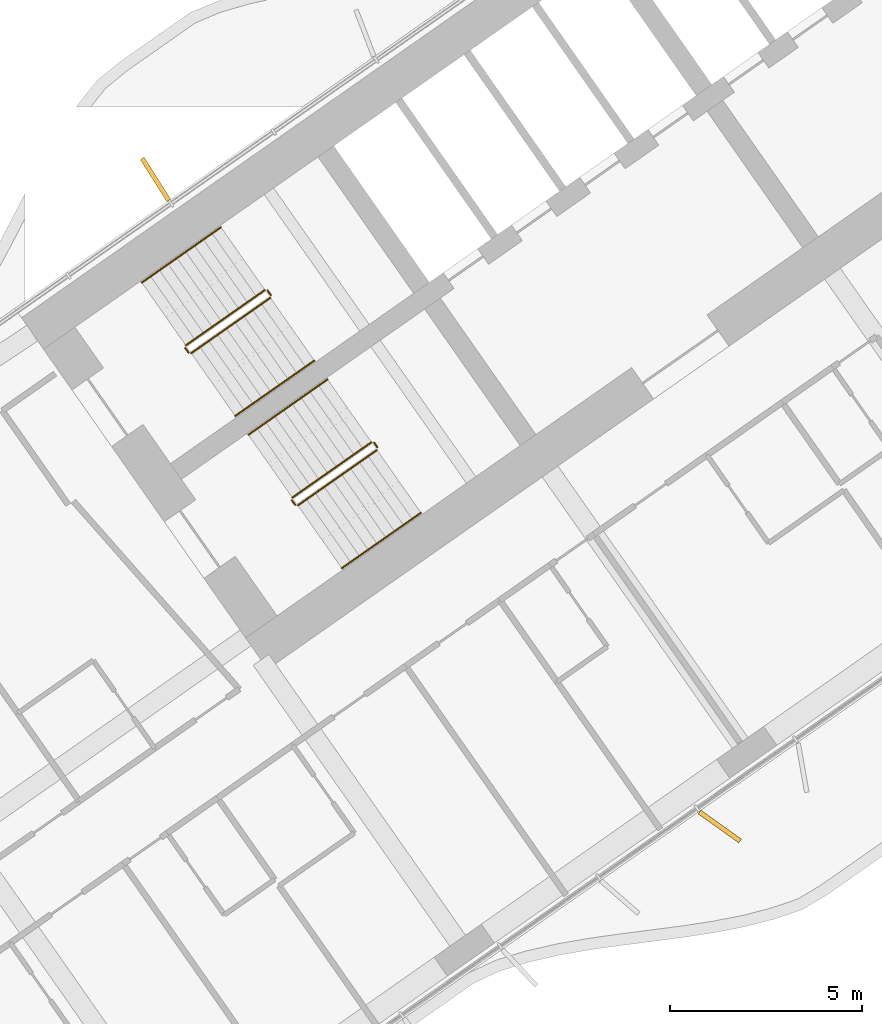
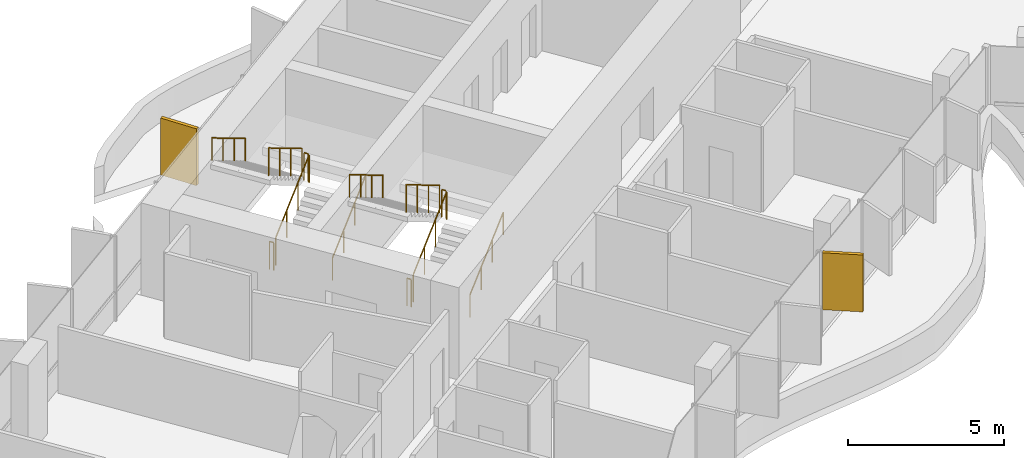
# One storey, part 21 of 25: 12 railings, 2 shading devices.
"""IFC4 building model written with IfcOpenShell, lengths in metres."""

from ifc_helpers import new_model, si_unit, direction, frame, origin, origin_2d, place, context, subcontext, project, spatial, rectangle, circle, extrude, material, layer, layer_set, type_object, element, save


model = new_model("IFC4")

# Units and contexts
model_context = context("Model", 3, precision=1e-05, world=origin(), true_north=direction((0.0, 1.0)))
body_context = subcontext(model_context, "Body", "Model", "MODEL_VIEW")
ifc_project = project(units=[si_unit("LENGTHUNIT", "METRE"), si_unit("AREAUNIT", "SQUARE_METRE"), si_unit("VOLUMEUNIT", "CUBIC_METRE"), si_unit("PLANEANGLEUNIT", "RADIAN"), si_unit("MASSUNIT", "GRAM", prefix="KILO")], contexts=[model_context])

# Site, building, storey
site_placement = place(None, origin())
site = spatial("IfcSite", under=ifc_project, at=site_placement, CompositionType="ELEMENT")
building_placement = place(site_placement, origin())
building = spatial("IfcBuilding", under=site, at=building_placement, Name="Tel Ilan Convention Tower", CompositionType="ELEMENT")
storey_placement = place(building_placement, frame((0.0, 0.0, 54.5)))
storey = spatial("IfcBuildingStorey", under=building, at=storey_placement, Name="L08", CompositionType="ELEMENT", Elevation=54.5)

# Shading devices
ifc_material_1 = material(Name="Aluminium, bronze anodised", Category="aluminium")
ifc_layer = layer(ifc_material_1, 0.1201171875)
ifc_layer_set = layer_set([ifc_layer], Name="FIN BRONZE 1300x120")
shading_device_type = type_object("IfcShadingDeviceType", Name="FIN BRONZE 1300x120", PredefinedType="USERDEFINED", material=ifc_layer_set)
for number, where, z_axis, x_axis, name in (
    (1, (-24.470458984375, -3.520751953125, 1.10009765625), (0.0, 0.0, 1.0), (-0.533204432798, 0.845986425922, 0.0), "FIN"),
    (2, (-9.73974609375, -20.409912109375, 1.10009765625), (0.0, 0.0, 1.0), (0.813552070258, -0.581492071294, 0.0), "FIN"),
):
    element("IfcShadingDevice", number, at=place(storey_placement, frame(where, z_axis=z_axis, x_axis=x_axis)), inside=storey, type_object=shading_device_type, Name=name, ObjectType="FIN", PredefinedType="USERDEFINED", context=body_context, shape_type="SweptSolid", body=[
        extrude(rectangle(XDim=1.300048828125, YDim=0.1201171875, at=origin_2d()), origin(), (0.0, 0.0, 1.0), 2.219970703125),
    ])

# Railings
ifc_material_2 = material(Name="Stainless Steel Grade 316", Category="steel")
railing_type_1 = type_object("IfcRailingType", Name="Stainless Steel Stair Guard 1100 mm", PredefinedType="GUARDRAIL", material=ifc_material_2)
railing_1_placement = place(storey_placement, frame((-23.535400390625, -8.056396484375, 0.179931640625)))
element("IfcRailing", 3, at=railing_1_placement, inside=storey, type_object=railing_type_1, Name="L08 S1 stair guard 1", PredefinedType="GUARDRAIL", context=body_context, shape_type="SweptSolid", body=[
    extrude(circle(Radius=0.02392578125, at=origin_2d()), frame((0.0, 0.0, 1.076171875), z_axis=(0.689013013563, 0.482512838948, 0.540779462804), x_axis=(-0.573624882958, 0.819118119475, 0.0)), (0.0, 0.0, 1.0), 2.995849609375),
    extrude(circle(Radius=0.02099609375, at=origin_2d()), origin(), (0.0, 0.0, 1.0), 1.052001953125),
    extrude(circle(Radius=0.02099609375, at=origin_2d()), frame((0.68798828125, 0.48193359375, 0.5400390625)), (0.0, 0.0, 1.0), 1.052001953125),
    extrude(circle(Radius=0.02099609375, at=origin_2d()), frame((1.376220703125, 0.963623046875, 1.080078125)), (0.0, 0.0, 1.0), 1.052001953125),
    extrude(circle(Radius=0.02099609375, at=origin_2d()), frame((2.064208984375, 1.445556640625, 1.6201171875)), (0.0, 0.0, 1.0), 1.052001953125),
])
railing_2_placement = place(storey_placement, frame((-21.458984375, -6.541259765625, 1.800048828125)))
element("IfcRailing", 4, at=railing_2_placement, inside=storey, type_object=railing_type_1, Name="L08 S1 stair guard 2", PredefinedType="GUARDRAIL", context=body_context, shape_type="SweptSolid", body=[
    extrude(circle(Radius=0.02392578125, at=origin_2d()), frame((0.0, 0.0, 1.076171875), z_axis=(-0.573353020881, 0.819308436089, 0.0), x_axis=(-0.819308436089, -0.573353020881, 0.0)), (0.0, 0.0, 1.0), 0.14990234375),
    extrude(circle(Radius=0.02099609375, at=origin_2d()), origin(), (0.0, 0.0, 1.0), 1.052001953125),
    extrude(circle(Radius=0.02099609375, at=origin_2d()), frame((-0.0859375, 0.122802734375, 0.0)), (0.0, 0.0, 1.0), 1.052001953125),
])
railing_3_placement = place(storey_placement, frame((-21.614501953125, -6.406005859375, 1.97998046875)))
element("IfcRailing", 5, at=railing_3_placement, inside=storey, type_object=railing_type_1, Name="L08 S1 stair guard 3", PredefinedType="GUARDRAIL", context=body_context, shape_type="SweptSolid", body=[
    extrude(circle(Radius=0.02392578125, at=origin_2d()), frame((0.0, 0.0, 1.076171875), z_axis=(-0.689013013563, -0.482512838948, 0.540779462804), x_axis=(0.573624882958, -0.819118119475, 0.0)), (0.0, 0.0, 1.0), 2.995849609375),
    extrude(circle(Radius=0.02099609375, at=origin_2d()), origin(), (0.0, 0.0, 1.0), 1.052001953125),
    extrude(circle(Radius=0.02099609375, at=origin_2d()), frame((-0.68798828125, -0.48193359375, 0.5400390625)), (0.0, 0.0, 1.0), 1.052001953125),
    extrude(circle(Radius=0.02099609375, at=origin_2d()), frame((-1.376220703125, -0.963623046875, 1.080078125)), (0.0, 0.0, 1.0), 1.052001953125),
    extrude(circle(Radius=0.02099609375, at=origin_2d()), frame((-2.064208984375, -1.445556640625, 1.6201171875)), (0.0, 0.0, 1.0), 1.052001953125),
])
railing_4_placement = place(storey_placement, frame((-23.60498046875, -8.0439453125, 0.0)))
element("IfcRailing", 6, at=railing_4_placement, inside=storey, type_object=railing_type_1, Name="L08 S1 stair guard 4", PredefinedType="GUARDRAIL", context=body_context, shape_type="SweptSolid", body=[
    extrude(circle(Radius=0.02392578125, at=origin_2d()), frame((0.0, 0.0, 1.076171875), z_axis=(-0.574444878118, 0.818543268254, 0.0), x_axis=(-0.818543268254, -0.574444878118, 0.0)), (0.0, 0.0, 1.0), 0.150146484375),
    extrude(circle(Radius=0.02099609375, at=origin_2d()), origin(), (0.0, 0.0, 1.0), 1.052001953125),
    extrude(circle(Radius=0.02099609375, at=origin_2d()), frame((-0.086181640625, 0.122802734375, 0.0)), (0.0, 0.0, 1.0), 1.052001953125),
])
railing_5_placement = place(storey_placement, frame((-20.753662109375, -12.029296875, 0.179931640625)))
element("IfcRailing", 7, at=railing_5_placement, inside=storey, type_object=railing_type_1, Name="L08 S2 stair guard 1", PredefinedType="GUARDRAIL", context=body_context, shape_type="SweptSolid", body=[
    extrude(circle(Radius=0.02392578125, at=origin_2d()), frame((0.0, 0.0, 1.076171875), z_axis=(0.689055814419, 0.482485747064, 0.540749099395), x_axis=(-0.573579365141, 0.81914999352, 0.0)), (0.0, 0.0, 1.0), 2.99609375),
    extrude(circle(Radius=0.02099609375, at=origin_2d()), origin(), (0.0, 0.0, 1.0), 1.052001953125),
    extrude(circle(Radius=0.02099609375, at=origin_2d()), frame((0.688232421875, 0.48193359375, 0.5400390625)), (0.0, 0.0, 1.0), 1.052001953125),
    extrude(circle(Radius=0.02099609375, at=origin_2d()), frame((1.376220703125, 0.963623046875, 1.080078125)), (0.0, 0.0, 1.0), 1.052001953125),
    extrude(circle(Radius=0.02099609375, at=origin_2d()), frame((2.064453125, 1.445556640625, 1.6201171875)), (0.0, 0.0, 1.0), 1.052001953125),
])
railing_6_placement = place(storey_placement, frame((-18.677001953125, -10.51416015625, 1.800048828125)))
element("IfcRailing", 8, at=railing_6_placement, inside=storey, type_object=railing_type_1, Name="L08 S2 stair guard 2", PredefinedType="GUARDRAIL", context=body_context, shape_type="SweptSolid", body=[
    extrude(circle(Radius=0.02392578125, at=origin_2d()), frame((0.0, 0.0, 1.076171875), z_axis=(-0.573353020881, 0.819308436089, 0.0), x_axis=(-0.819308436089, -0.573353020881, 0.0)), (0.0, 0.0, 1.0), 0.14990234375),
    extrude(circle(Radius=0.02099609375, at=origin_2d()), origin(), (0.0, 0.0, 1.0), 1.052001953125),
    extrude(circle(Radius=0.02099609375, at=origin_2d()), frame((-0.0859375, 0.122802734375, 0.0)), (0.0, 0.0, 1.0), 1.052001953125),
])
railing_7_placement = place(storey_placement, frame((-18.832763671875, -10.37890625, 1.97998046875)))
element("IfcRailing", 9, at=railing_7_placement, inside=storey, type_object=railing_type_1, Name="L08 S2 stair guard 3", PredefinedType="GUARDRAIL", context=body_context, shape_type="SweptSolid", body=[
    extrude(circle(Radius=0.02392578125, at=origin_2d()), frame((0.0, 0.0, 1.076171875), z_axis=(-0.689013013563, -0.482512838948, 0.540779462804), x_axis=(0.573624882958, -0.819118119475, 0.0)), (0.0, 0.0, 1.0), 2.995849609375),
    extrude(circle(Radius=0.02099609375, at=origin_2d()), origin(), (0.0, 0.0, 1.0), 1.052001953125),
    extrude(circle(Radius=0.02099609375, at=origin_2d()), frame((-0.68798828125, -0.48193359375, 0.5400390625)), (0.0, 0.0, 1.0), 1.052001953125),
    extrude(circle(Radius=0.02099609375, at=origin_2d()), frame((-1.376220703125, -0.963623046875, 1.080078125)), (0.0, 0.0, 1.0), 1.052001953125),
    extrude(circle(Radius=0.02099609375, at=origin_2d()), frame((-2.064208984375, -1.445556640625, 1.6201171875)), (0.0, 0.0, 1.0), 1.052001953125),
])
railing_8_placement = place(storey_placement, frame((-20.8232421875, -12.016845703125, 0.0)))
element("IfcRailing", 10, at=railing_8_placement, inside=storey, type_object=railing_type_1, Name="L08 S2 stair guard 4", PredefinedType="GUARDRAIL", context=body_context, shape_type="SweptSolid", body=[
    extrude(circle(Radius=0.02392578125, at=origin_2d()), frame((0.0, 0.0, 1.076171875), z_axis=(-0.573353020881, 0.819308436089, 0.0), x_axis=(-0.819308436089, -0.573353020881, 0.0)), (0.0, 0.0, 1.0), 0.14990234375),
    extrude(circle(Radius=0.02099609375, at=origin_2d()), origin(), (0.0, 0.0, 1.0), 1.052001953125),
    extrude(circle(Radius=0.02099609375, at=origin_2d()), frame((-0.0859375, 0.122802734375, 0.0)), (0.0, 0.0, 1.0), 1.052001953125),
])
ifc_material_3 = material(Name="Stainless Steel Grade 316", Category="steel")
railing_type_2 = type_object("IfcRailingType", Name="Stainless Steel Stair Handrail 900 mm", PredefinedType="HANDRAIL", material=ifc_material_3)
railing_9_placement = place(storey_placement, frame((-22.38818359375, -9.694580078125, 0.179931640625)))
element("IfcRailing", 11, at=railing_9_placement, inside=storey, type_object=railing_type_2, Name="L08 S1 stair handrail 1", PredefinedType="HANDRAIL", context=body_context, shape_type="SweptSolid", body=[
    extrude(circle(Radius=0.02392578125, at=origin_2d()), frame((0.0, 0.0, 0.8759765625), z_axis=(0.689040105437, 0.482450316285, 0.54080072616), x_axis=(-0.573559875649, 0.819163639968, 0.0)), (0.0, 0.0, 1.0), 2.995849609375),
    extrude(circle(Radius=0.02099609375, at=origin_2d()), origin(), (0.0, 0.0, 1.0), 0.851806640625),
    extrude(circle(Radius=0.02099609375, at=origin_2d()), frame((0.68798828125, 0.481689453125, 0.5400390625)), (0.0, 0.0, 1.0), 0.851806640625),
    extrude(circle(Radius=0.02099609375, at=origin_2d()), frame((1.376220703125, 0.963623046875, 1.080078125)), (0.0, 0.0, 1.0), 0.851806640625),
    extrude(circle(Radius=0.02099609375, at=origin_2d()), frame((2.064208984375, 1.4453125, 1.6201171875)), (0.0, 0.0, 1.0), 0.851806640625),
])
railing_10_placement = place(storey_placement, frame((-22.76171875, -4.767822265625, 1.97998046875)))
element("IfcRailing", 12, at=railing_10_placement, inside=storey, type_object=railing_type_2, Name="L08 S1 stair handrail 2", PredefinedType="HANDRAIL", context=body_context, shape_type="SweptSolid", body=[
    extrude(circle(Radius=0.02392578125, at=origin_2d()), frame((0.0, 0.0, 0.8759765625), z_axis=(-0.689040105437, -0.482450316285, 0.54080072616), x_axis=(0.573559875649, -0.819163639968, 0.0)), (0.0, 0.0, 1.0), 2.995849609375),
    extrude(circle(Radius=0.02099609375, at=origin_2d()), origin(), (0.0, 0.0, 1.0), 0.851806640625),
    extrude(circle(Radius=0.02099609375, at=origin_2d()), frame((-0.68798828125, -0.481689453125, 0.5400390625)), (0.0, 0.0, 1.0), 0.851806640625),
    extrude(circle(Radius=0.02099609375, at=origin_2d()), frame((-1.376220703125, -0.963623046875, 1.080078125)), (0.0, 0.0, 1.0), 0.851806640625),
    extrude(circle(Radius=0.02099609375, at=origin_2d()), frame((-2.064208984375, -1.4453125, 1.6201171875)), (0.0, 0.0, 1.0), 0.851806640625),
])
railing_11_placement = place(storey_placement, frame((-19.6064453125, -13.66748046875, 0.179931640625)))
element("IfcRailing", 13, at=railing_11_placement, inside=storey, type_object=railing_type_2, Name="L08 S2 stair handrail 1", PredefinedType="HANDRAIL", context=body_context, shape_type="SweptSolid", body=[
    extrude(circle(Radius=0.02392578125, at=origin_2d()), frame((0.0, 0.0, 0.8759765625), z_axis=(0.689040105437, 0.482450316285, 0.54080072616), x_axis=(-0.573559875649, 0.819163639968, 0.0)), (0.0, 0.0, 1.0), 2.995849609375),
    extrude(circle(Radius=0.02099609375, at=origin_2d()), origin(), (0.0, 0.0, 1.0), 0.851806640625),
    extrude(circle(Radius=0.02099609375, at=origin_2d()), frame((0.68798828125, 0.481689453125, 0.5400390625)), (0.0, 0.0, 1.0), 0.851806640625),
    extrude(circle(Radius=0.02099609375, at=origin_2d()), frame((1.376220703125, 0.963623046875, 1.080078125)), (0.0, 0.0, 1.0), 0.851806640625),
    extrude(circle(Radius=0.02099609375, at=origin_2d()), frame((2.064208984375, 1.4453125, 1.6201171875)), (0.0, 0.0, 1.0), 0.851806640625),
])
railing_12_placement = place(storey_placement, frame((-19.979736328125, -8.74072265625, 1.97998046875)))
element("IfcRailing", 14, at=railing_12_placement, inside=storey, type_object=railing_type_2, Name="L08 S2 stair handrail 2", PredefinedType="HANDRAIL", context=body_context, shape_type="SweptSolid", body=[
    extrude(circle(Radius=0.02392578125, at=origin_2d()), frame((0.0, 0.0, 0.8759765625), z_axis=(-0.689082904933, -0.482423225781, 0.540770359169), x_axis=(0.573514357932, -0.81919550856, 0.0)), (0.0, 0.0, 1.0), 2.995849609375),
    extrude(circle(Radius=0.02099609375, at=origin_2d()), origin(), (0.0, 0.0, 1.0), 0.851806640625),
    extrude(circle(Radius=0.02099609375, at=origin_2d()), frame((-0.688232421875, -0.481689453125, 0.5400390625)), (0.0, 0.0, 1.0), 0.851806640625),
    extrude(circle(Radius=0.02099609375, at=origin_2d()), frame((-1.376220703125, -0.963623046875, 1.080078125)), (0.0, 0.0, 1.0), 0.851806640625),
    extrude(circle(Radius=0.02099609375, at=origin_2d()), frame((-2.064453125, -1.4453125, 1.6201171875)), (0.0, 0.0, 1.0), 0.851806640625),
])

save(model, "model.ifc")
